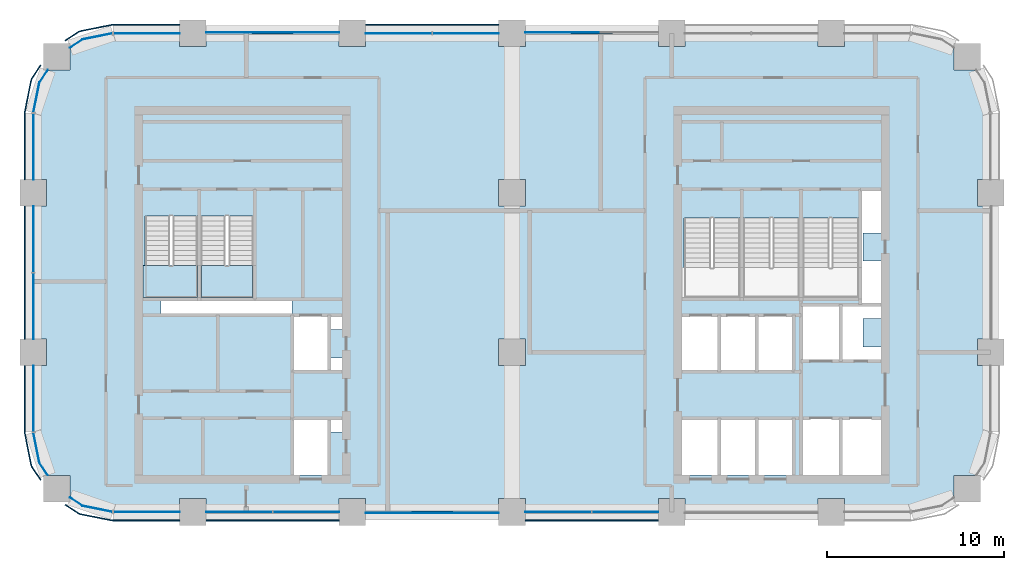
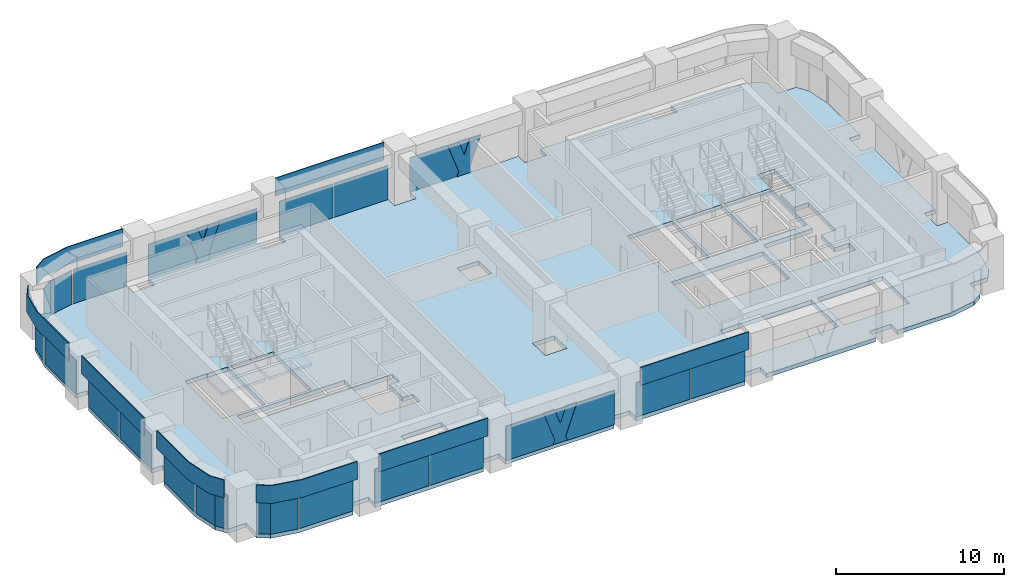
# One storey, part 7 of 14: 35 plates, 3 slabs, 13 elements without a shape of their own.
"""IFC4 building model written with IfcOpenShell, lengths in metres."""

from ifc_helpers import new_model, si_unit, direction, frame, origin, origin_2d, place, context, subcontext, project, spatial, polyline, rectangle, outline, extrude, material, layer, layer_set, type_object, element, aggregate, save


model = new_model("IFC4")

# Units and contexts
model_context = context("Model", 3, precision=1e-05, world=origin(), true_north=direction((0.0, 1.0)))
body_context = subcontext(model_context, "Body", "Model", "MODEL_VIEW")
ifc_project = project(units=[si_unit("LENGTHUNIT", "METRE"), si_unit("AREAUNIT", "SQUARE_METRE"), si_unit("VOLUMEUNIT", "CUBIC_METRE"), si_unit("PLANEANGLEUNIT", "RADIAN"), si_unit("MASSUNIT", "GRAM", prefix="KILO")], contexts=[model_context])

# Site, building, storey
site_placement = place(None, origin())
site = spatial("IfcSite", under=ifc_project, at=site_placement, CompositionType="ELEMENT")
building_placement = place(site_placement, origin())
building = spatial("IfcBuilding", under=site, at=building_placement, Name="Tessera Arch", CompositionType="ELEMENT")
storey_placement = place(building_placement, frame((0.0, 0.0, 138.800048828125)))
storey = spatial("IfcBuildingStorey", under=building, at=storey_placement, Name="L32", CompositionType="ELEMENT", Elevation=138.800048828125)

# Curtain wall, plates
ifc_material_1 = material(Name="CW1 curtain wall")
curtain_wall_type_1 = type_object("IfcCurtainWallType", Name="CW1 curtain wall", PredefinedType="NOTDEFINED", material=ifc_material_1)
curtain_wall_1_placement = place(storey_placement, origin())
curtain_wall_1 = element("IfcCurtainWall", 1, at=curtain_wall_1_placement, inside=storey, type_object=curtain_wall_type_1, Name="CW1 curtain wall N54.0/3 L32", PredefinedType="NOTDEFINED")
ifc_material_2 = material(Name="Clear low-e glass", Category="glass")
ifc_material_3 = material(Name="Clear low-e glass", Category="glass")
ifc_layer_1 = layer(ifc_material_3, 0.028076171875)
ifc_layer_set_1 = layer_set([ifc_layer_1], Name="CW1 glass panel")
plate_type_1 = type_object("IfcPlateType", Name="CW1 glass panel", PredefinedType="CURTAIN_PANEL", material=ifc_layer_set_1)
plate_1_placement = place(storey_placement, frame((24.389892578125, 54.0, 0.0), z_axis=(0.0, 0.0, 1.0), x_axis=(-1.0, 0.0, 0.0)))
plate_1 = element("IfcPlate", 2, at=plate_1_placement, type_object=plate_type_1, material=ifc_material_2, Name="CW1 glass panel N54.0/3 1.1.1", PredefinedType="CURTAIN_PANEL", context=body_context, shape_type="SweptSolid", body=[
    extrude(rectangle(XDim=3.719970703125, YDim=0.028076171875, at=origin_2d()), origin(), (0.0, 0.0, 1.0), 2.5),
])
plate_2_placement = place(storey_placement, frame((20.610107421875, 54.0, 0.0), z_axis=(0.0, 0.0, 1.0), x_axis=(-1.0, 0.0, 0.0)))
plate_2 = element("IfcPlate", 3, at=plate_2_placement, type_object=plate_type_1, material=ifc_material_2, Name="CW1 glass panel N54.0/3 1.2.1", PredefinedType="CURTAIN_PANEL", context=body_context, shape_type="SweptSolid", body=[
    extrude(rectangle(XDim=3.719970703125, YDim=0.028076171875, at=origin_2d()), origin(), (0.0, 0.0, 1.0), 2.5),
])

curtain_wall_2_placement = place(storey_placement, origin())
curtain_wall_2 = element("IfcCurtainWall", 4, at=curtain_wall_2_placement, inside=storey, type_object=curtain_wall_type_1, Name="CW1 curtain wall W0.27/1 L32", PredefinedType="NOTDEFINED")
plate_3_placement = place(storey_placement, frame((0.0, 42.389892578125, 0.0), z_axis=(0.0, 0.0, 1.0), x_axis=(0.0, -1.0, 0.0)))
plate_3 = element("IfcPlate", 5, at=plate_3_placement, type_object=plate_type_1, material=ifc_material_2, Name="CW1 glass panel W0.27/1 1.1.1", PredefinedType="CURTAIN_PANEL", context=body_context, shape_type="SweptSolid", body=[
    extrude(rectangle(XDim=3.719970703125, YDim=0.028076171875, at=origin_2d()), origin(), (0.0, 0.0, 1.0), 2.5),
])
plate_4_placement = place(storey_placement, frame((0.0, 38.610107421875, 0.0), z_axis=(0.0, 0.0, 1.0), x_axis=(0.0, -1.0, 0.0)))
plate_4 = element("IfcPlate", 6, at=plate_4_placement, type_object=plate_type_1, material=ifc_material_2, Name="CW1 glass panel W0.27/1 1.2.1", PredefinedType="CURTAIN_PANEL", context=body_context, shape_type="SweptSolid", body=[
    extrude(rectangle(XDim=3.719970703125, YDim=0.028076171875, at=origin_2d()), origin(), (0.0, 0.0, 1.0), 2.5),
])

curtain_wall_3_placement = place(storey_placement, origin())
curtain_wall_3 = element("IfcCurtainWall", 7, at=curtain_wall_3_placement, inside=storey, type_object=curtain_wall_type_1, Name="CW1 curtain wall S27.0/1 L32", PredefinedType="NOTDEFINED")
plate_5_placement = place(storey_placement, frame((11.610107421875, 27.0, 0.0), z_axis=(0.0, 0.0, 1.0), x_axis=(1.0, 0.0, 0.0)))
plate_5 = element("IfcPlate", 8, at=plate_5_placement, type_object=plate_type_1, material=ifc_material_2, Name="CW1 glass panel S27.0/1 1.1.1", PredefinedType="CURTAIN_PANEL", context=body_context, shape_type="SweptSolid", body=[
    extrude(rectangle(XDim=3.719970703125, YDim=0.028076171875, at=origin_2d()), origin(), (0.0, 0.0, 1.0), 2.5),
])
plate_6_placement = place(storey_placement, frame((15.389892578125, 27.0, 0.0), z_axis=(0.0, 0.0, 1.0), x_axis=(1.0, 0.0, 0.0)))
plate_6 = element("IfcPlate", 9, at=plate_6_placement, type_object=plate_type_1, material=ifc_material_2, Name="CW1 glass panel S27.0/1 1.2.1", PredefinedType="CURTAIN_PANEL", context=body_context, shape_type="SweptSolid", body=[
    extrude(rectangle(XDim=3.719970703125, YDim=0.028076171875, at=origin_2d()), origin(), (0.0, 0.0, 1.0), 2.5),
])

curtain_wall_4_placement = place(storey_placement, origin())
curtain_wall_4 = element("IfcCurtainWall", 10, at=curtain_wall_4_placement, inside=storey, type_object=curtain_wall_type_1, Name="CW1 curtain wall S27.0/3 L32", PredefinedType="NOTDEFINED")
plate_7_placement = place(storey_placement, frame((29.610107421875, 27.0, 0.0), z_axis=(0.0, 0.0, 1.0), x_axis=(1.0, 0.0, 0.0)))
plate_7 = element("IfcPlate", 11, at=plate_7_placement, type_object=plate_type_1, material=ifc_material_2, Name="CW1 glass panel S27.0/3 1.1.1", PredefinedType="CURTAIN_PANEL", context=body_context, shape_type="SweptSolid", body=[
    extrude(rectangle(XDim=3.719970703125, YDim=0.028076171875, at=origin_2d()), origin(), (0.0, 0.0, 1.0), 2.5),
])
plate_8_placement = place(storey_placement, frame((33.389892578125, 27.0, 0.0), z_axis=(0.0, 0.0, 1.0), x_axis=(1.0, 0.0, 0.0)))
plate_8 = element("IfcPlate", 12, at=plate_8_placement, type_object=plate_type_1, material=ifc_material_2, Name="CW1 glass panel S27.0/3 1.2.1", PredefinedType="CURTAIN_PANEL", context=body_context, shape_type="SweptSolid", body=[
    extrude(rectangle(XDim=3.719970703125, YDim=0.028076171875, at=origin_2d()), origin(), (0.0, 0.0, 1.0), 2.5),
])

# Plate
ifc_material_4 = material(Name="Pale anodised aluminium panel", Category="aluminium")
ifc_layer_2 = layer(ifc_material_4, 0.06005859375)
ifc_layer_set_2 = layer_set([ifc_layer_2], Name="CW1 spandrel panel")
plate_type_2 = type_object("IfcPlateType", Name="CW1 spandrel panel", PredefinedType="CURTAIN_PANEL", material=ifc_layer_set_2)
plate_9_placement = place(storey_placement, frame((22.5, 54.47998046875, 2.60009765625), z_axis=(0.0, 0.0, 1.0), x_axis=(-1.0, 0.0, 0.0)))
plate_9 = element("IfcPlate", 13, at=plate_9_placement, type_object=plate_type_2, Name="CW1 spandrel panel N54.0/3", PredefinedType="CURTAIN_PANEL", context=body_context, shape_type="SweptSolid", body=[
    extrude(rectangle(XDim=7.5, YDim=0.06005859375, at=origin_2d()), origin(), (0.0, 0.0, 1.0), 1.300048828125),
])

aggregate(curtain_wall_1, [plate_1, plate_2, plate_9])

plate_10_placement = place(storey_placement, frame((-0.47998046875, 40.5, 2.60009765625), z_axis=(0.0, 0.0, 1.0), x_axis=(0.0, -1.0, 0.0)))
plate_10 = element("IfcPlate", 14, at=plate_10_placement, type_object=plate_type_2, Name="CW1 spandrel panel W0.27/1", PredefinedType="CURTAIN_PANEL", context=body_context, shape_type="SweptSolid", body=[
    extrude(rectangle(XDim=7.5, YDim=0.06005859375, at=origin_2d()), origin(), (0.0, 0.0, 1.0), 1.300048828125),
])

aggregate(curtain_wall_2, [plate_3, plate_4, plate_10])

plate_11_placement = place(storey_placement, frame((13.5, 26.52001953125, 2.60009765625), z_axis=(0.0, 0.0, 1.0), x_axis=(1.0, 0.0, 0.0)))
plate_11 = element("IfcPlate", 15, at=plate_11_placement, type_object=plate_type_2, Name="CW1 spandrel panel S27.0/1", PredefinedType="CURTAIN_PANEL", context=body_context, shape_type="SweptSolid", body=[
    extrude(rectangle(XDim=7.5, YDim=0.06005859375, at=origin_2d()), origin(), (0.0, 0.0, 1.0), 1.300048828125),
])

aggregate(curtain_wall_3, [plate_5, plate_6, plate_11])

plate_12_placement = place(storey_placement, frame((31.5, 26.52001953125, 2.60009765625), z_axis=(0.0, 0.0, 1.0), x_axis=(1.0, 0.0, 0.0)))
plate_12 = element("IfcPlate", 16, at=plate_12_placement, type_object=plate_type_2, Name="CW1 spandrel panel S27.0/3", PredefinedType="CURTAIN_PANEL", context=body_context, shape_type="SweptSolid", body=[
    extrude(rectangle(XDim=7.5, YDim=0.06005859375, at=origin_2d()), origin(), (0.0, 0.0, 1.0), 1.300048828125),
])

aggregate(curtain_wall_4, [plate_7, plate_8, plate_12])

# Curtain wall, plates
ifc_material_5 = material(Name="CW2 curtain wall")
curtain_wall_type_2 = type_object("IfcCurtainWallType", Name="CW2 curtain wall", PredefinedType="NOTDEFINED", material=ifc_material_5)
curtain_wall_5_placement = place(storey_placement, origin())
curtain_wall_5 = element("IfcCurtainWall", 17, at=curtain_wall_5_placement, inside=storey, type_object=curtain_wall_type_2, Name="CW2 curtain wall N54.0/5 L32", PredefinedType="NOTDEFINED")
ifc_material_6 = material(Name="Clear low-e glass", Category="glass")
ifc_layer_3 = layer(ifc_material_6, 0.028076171875)
ifc_layer_set_3 = layer_set([ifc_layer_3], Name="CW2 glass panel")
plate_type_3 = type_object("IfcPlateType", Name="CW2 glass panel", PredefinedType="CURTAIN_PANEL", material=ifc_layer_set_3)
plate_13_placement = place(storey_placement, frame((6.39501953125, 54.0, 0.0), z_axis=(0.0, 0.0, 1.0), x_axis=(-1.0, 0.0, 0.0)))
plate_13 = element("IfcPlate", 18, at=plate_13_placement, type_object=plate_type_3, material=ifc_material_2, Name="CW2 glass panel N54.0/5 1.1", PredefinedType="CURTAIN_PANEL", context=body_context, shape_type="SweptSolid", body=[
    extrude(rectangle(XDim=3.7099609375, YDim=0.028076171875, at=origin_2d()), origin(), (0.0, 0.0, 1.0), 2.5),
])
plate_14_placement = place(storey_placement, origin())
plate_14 = element("IfcPlate", 19, at=plate_14_placement, type_object=plate_type_3, material=ifc_material_2, Name="CW2 curved glass panel N54.0/5 2.1", PredefinedType="CURTAIN_PANEL", context=body_context, shape_type="SweptSolid", body=[
    extrude(outline(polyline([(2.783447265625, 53.644287109375), (4.46337890625, 53.978515625), (4.4580078125, 54.005859375), (2.7724609375, 53.670654296875), (2.060302734375, 53.19482421875), (2.07568359375, 53.17138671875), (2.783447265625, 53.644287109375)])), origin(), (0.0, 0.0, 1.0), 2.5),
])

curtain_wall_6_placement = place(storey_placement, origin())
curtain_wall_6 = element("IfcCurtainWall", 20, at=curtain_wall_6_placement, inside=storey, type_object=curtain_wall_type_2, Name="CW2 curtain wall W0.27/0 L32", PredefinedType="NOTDEFINED")
plate_15_placement = place(storey_placement, frame((0.0, 47.60498046875, 0.0), z_axis=(0.0, 0.0, 1.0), x_axis=(0.0, -1.0, 0.0)))
plate_15 = element("IfcPlate", 21, at=plate_15_placement, type_object=plate_type_3, material=ifc_material_2, Name="CW2 glass panel W0.27/0 1.1", PredefinedType="CURTAIN_PANEL", context=body_context, shape_type="SweptSolid", body=[
    extrude(rectangle(XDim=3.7099609375, YDim=0.028076171875, at=origin_2d()), origin(), (0.0, 0.0, 1.0), 2.5),
])
plate_16_placement = place(storey_placement, origin())
plate_16 = element("IfcPlate", 22, at=plate_16_placement, type_object=plate_type_3, material=ifc_material_2, Name="CW2 curved glass panel W0.27/0 2.1", PredefinedType="CURTAIN_PANEL", context=body_context, shape_type="SweptSolid", body=[
    extrude(outline(polyline([(0.355712890625, 51.216552734375), (0.82861328125, 51.92431640625), (0.80517578125, 51.939697265625), (0.329345703125, 51.2275390625), (-0.005859375, 49.5419921875), (0.021484375, 49.53662109375), (0.355712890625, 51.216552734375)])), origin(), (0.0, 0.0, 1.0), 2.5),
])

curtain_wall_7_placement = place(storey_placement, origin())
curtain_wall_7 = element("IfcCurtainWall", 23, at=curtain_wall_7_placement, inside=storey, type_object=curtain_wall_type_2, Name="CW2 curtain wall W0.27/2 L32", PredefinedType="NOTDEFINED")
plate_17_placement = place(storey_placement, frame((0.0, 33.39501953125, 0.0), z_axis=(0.0, 0.0, 1.0), x_axis=(0.0, -1.0, 0.0)))
plate_17 = element("IfcPlate", 24, at=plate_17_placement, type_object=plate_type_3, material=ifc_material_2, Name="CW2 glass panel W0.27/2 1.1", PredefinedType="CURTAIN_PANEL", context=body_context, shape_type="SweptSolid", body=[
    extrude(rectangle(XDim=3.7099609375, YDim=0.028076171875, at=origin_2d()), origin(), (0.0, 0.0, 1.0), 2.5),
])
plate_18_placement = place(storey_placement, origin())
plate_18 = element("IfcPlate", 25, at=plate_18_placement, type_object=plate_type_3, material=ifc_material_2, Name="CW2 curved glass panel W0.27/2 2.1", PredefinedType="CURTAIN_PANEL", context=body_context, shape_type="SweptSolid", body=[
    extrude(outline(polyline([(0.355712890625, 29.783447265625), (0.021484375, 31.46337890625), (-0.005859375, 31.4580078125), (0.329345703125, 29.7724609375), (0.80517578125, 29.060302734375), (0.82861328125, 29.07568359375), (0.355712890625, 29.783447265625)])), origin(), (0.0, 0.0, 1.0), 2.5),
])

curtain_wall_8_placement = place(storey_placement, origin())
curtain_wall_8 = element("IfcCurtainWall", 26, at=curtain_wall_8_placement, inside=storey, type_object=curtain_wall_type_2, Name="CW2 curtain wall S27.0/0 L32", PredefinedType="NOTDEFINED")
plate_19_placement = place(storey_placement, frame((6.39501953125, 27.0, 0.0), z_axis=(0.0, 0.0, 1.0), x_axis=(1.0, 0.0, 0.0)))
plate_19 = element("IfcPlate", 27, at=plate_19_placement, type_object=plate_type_3, material=ifc_material_2, Name="CW2 glass panel S27.0/0 1.1", PredefinedType="CURTAIN_PANEL", context=body_context, shape_type="SweptSolid", body=[
    extrude(rectangle(XDim=3.7099609375, YDim=0.028076171875, at=origin_2d()), origin(), (0.0, 0.0, 1.0), 2.5),
])
plate_20_placement = place(storey_placement, origin())
plate_20 = element("IfcPlate", 28, at=plate_20_placement, type_object=plate_type_3, material=ifc_material_2, Name="CW2 curved glass panel S27.0/0 2.1", PredefinedType="CURTAIN_PANEL", context=body_context, shape_type="SweptSolid", body=[
    extrude(outline(polyline([(2.783447265625, 27.355712890625), (2.07568359375, 27.82861328125), (2.060302734375, 27.80517578125), (2.7724609375, 27.329345703125), (4.4580078125, 26.994140625), (4.46337890625, 27.021484375), (2.783447265625, 27.355712890625)])), origin(), (0.0, 0.0, 1.0), 2.5),
])

# Plate
ifc_material_7 = material(Name="Pale anodised aluminium panel", Category="aluminium")
ifc_layer_4 = layer(ifc_material_7, 0.06005859375)
ifc_layer_set_4 = layer_set([ifc_layer_4], Name="CW2 spandrel panel")
plate_type_4 = type_object("IfcPlateType", Name="CW2 spandrel panel", PredefinedType="CURTAIN_PANEL", material=ifc_layer_set_4)
plate_21_placement = place(storey_placement, frame((0.0, 0.0, 2.599853515625)))
plate_21 = element("IfcPlate", 29, at=plate_21_placement, type_object=plate_type_4, Name="CW2 spandrel panel N54.0/5", PredefinedType="CURTAIN_PANEL", context=body_context, shape_type="SweptSolid", body=[
    extrude(outline(polyline([(4.500732421875, 54.449951171875), (8.25, 54.449951171875), (8.25, 54.510009765625), (4.499267578125, 54.510009765625), (4.449951171875, 54.507568359375), (4.401123046875, 54.500244140625), (2.677734375, 54.157470703125), (2.6298828125, 54.1455078125), (2.582763671875, 54.128662109375), (2.537353515625, 54.107421875), (2.4951171875, 54.08203125), (1.78466796875, 53.607177734375), (1.81787109375, 53.55712890625), (2.52734375, 54.03125), (2.565673828125, 54.054443359375), (2.605712890625, 54.0732421875), (2.647216796875, 54.088134765625), (2.69091796875, 54.09912109375), (4.411376953125, 54.441162109375), (4.455810546875, 54.44775390625), (4.500732421875, 54.449951171875)])), origin(), (0.0, 0.0, 1.0), 1.300048828125),
])

aggregate(curtain_wall_5, [plate_13, plate_14, plate_21])

plate_22_placement = place(storey_placement, frame((0.0, 0.0, 2.599853515625)))
plate_22 = element("IfcPlate", 30, at=plate_22_placement, type_object=plate_type_4, Name="CW2 spandrel panel W0.27/0", PredefinedType="CURTAIN_PANEL", context=body_context, shape_type="SweptSolid", body=[
    extrude(outline(polyline([(-0.03125, 51.47265625), (0.44287109375, 52.18212890625), (0.392822265625, 52.21533203125), (-0.08203125, 51.5048828125), (-0.107421875, 51.462646484375), (-0.128662109375, 51.417236328125), (-0.1455078125, 51.3701171875), (-0.157470703125, 51.322265625), (-0.500244140625, 49.598876953125), (-0.507568359375, 49.550048828125), (-0.510009765625, 49.500732421875), (-0.510009765625, 45.75), (-0.449951171875, 45.75), (-0.449951171875, 49.499267578125), (-0.44775390625, 49.544189453125), (-0.441162109375, 49.588623046875), (-0.09912109375, 51.30908203125), (-0.088134765625, 51.352783203125), (-0.0732421875, 51.394287109375), (-0.054443359375, 51.434326171875), (-0.03125, 51.47265625)])), origin(), (0.0, 0.0, 1.0), 1.300048828125),
])

aggregate(curtain_wall_6, [plate_15, plate_16, plate_22])

plate_23_placement = place(storey_placement, frame((0.0, 0.0, 2.599853515625)))
plate_23 = element("IfcPlate", 31, at=plate_23_placement, type_object=plate_type_4, Name="CW2 spandrel panel W0.27/2", PredefinedType="CURTAIN_PANEL", context=body_context, shape_type="SweptSolid", body=[
    extrude(outline(polyline([(-0.449951171875, 31.500732421875), (-0.449951171875, 35.25), (-0.510009765625, 35.25), (-0.510009765625, 31.499267578125), (-0.507568359375, 31.449951171875), (-0.500244140625, 31.401123046875), (-0.157470703125, 29.677734375), (-0.1455078125, 29.6298828125), (-0.128662109375, 29.582763671875), (-0.107421875, 29.537353515625), (-0.08203125, 29.4951171875), (0.392822265625, 28.78466796875), (0.44287109375, 28.81787109375), (-0.03125, 29.52734375), (-0.054443359375, 29.565673828125), (-0.0732421875, 29.605712890625), (-0.088134765625, 29.647216796875), (-0.09912109375, 29.69091796875), (-0.441162109375, 31.411376953125), (-0.44775390625, 31.455810546875), (-0.449951171875, 31.500732421875)])), origin(), (0.0, 0.0, 1.0), 1.300048828125),
])

aggregate(curtain_wall_7, [plate_17, plate_18, plate_23])

plate_24_placement = place(storey_placement, frame((0.0, 0.0, 2.599853515625)))
plate_24 = element("IfcPlate", 32, at=plate_24_placement, type_object=plate_type_4, Name="CW2 spandrel panel S27.0/0", PredefinedType="CURTAIN_PANEL", context=body_context, shape_type="SweptSolid", body=[
    extrude(outline(polyline([(2.52734375, 26.96875), (1.81787109375, 27.44287109375), (1.78466796875, 27.392822265625), (2.4951171875, 26.91796875), (2.537353515625, 26.892578125), (2.582763671875, 26.871337890625), (2.6298828125, 26.8544921875), (2.677734375, 26.842529296875), (4.401123046875, 26.499755859375), (4.449951171875, 26.492431640625), (4.499267578125, 26.489990234375), (8.25, 26.489990234375), (8.25, 26.550048828125), (4.500732421875, 26.550048828125), (4.455810546875, 26.55224609375), (4.411376953125, 26.558837890625), (2.69091796875, 26.90087890625), (2.647216796875, 26.911865234375), (2.605712890625, 26.9267578125), (2.565673828125, 26.945556640625), (2.52734375, 26.96875)])), origin(), (0.0, 0.0, 1.0), 1.300048828125),
])

aggregate(curtain_wall_8, [plate_19, plate_20, plate_24])

# Curtain wall, plate
ifc_material_8 = material(Name="CW3 curtain wall")
curtain_wall_type_3 = type_object("IfcCurtainWallType", Name="CW3 curtain wall", PredefinedType="NOTDEFINED", material=ifc_material_8)
curtain_wall_9_placement = place(storey_placement, origin())
curtain_wall_9 = element("IfcCurtainWall", 33, at=curtain_wall_9_placement, inside=storey, type_object=curtain_wall_type_3, Name="CW3 curtain wall N54.0/2 L32", PredefinedType="NOTDEFINED")
ifc_material_9 = material(Name="Pale anodised aluminium panel", Category="aluminium")
ifc_layer_5 = layer(ifc_material_9, 0.06005859375)
ifc_layer_set_5 = layer_set([ifc_layer_5], Name="CW3 diagonal panel")
plate_type_5 = type_object("IfcPlateType", Name="CW3 diagonal panel", PredefinedType="CURTAIN_PANEL", material=ifc_layer_set_5)
plate_25_placement = place(storey_placement, frame((30.35302734375, 54.030029296875, 2.5), z_axis=(0.0, 1.0, 0.0), x_axis=(1.0, 0.0, 0.0)))
plate_25 = element("IfcPlate", 34, at=plate_25_placement, type_object=plate_type_5, Name="CW3 diagonal panel N54.0/2 1", PredefinedType="CURTAIN_PANEL", context=body_context, shape_type="SweptSolid", body=[
    extrude(outline(polyline([(0.0, 0.0), (0.765625, 0.0), (1.14697265625, 1.0732421875), (1.5283203125, 0.0), (2.2939453125, 0.0), (1.52978515625, 2.150146484375), (1.654052734375, 2.5), (0.639892578125, 2.5), (0.76416015625, 2.150146484375), (0.0, 0.0)])), origin(), (0.0, 0.0, -1.0), 0.06005859375),
])

curtain_wall_10_placement = place(storey_placement, origin())
curtain_wall_10 = element("IfcCurtainWall", 35, at=curtain_wall_10_placement, inside=storey, type_object=curtain_wall_type_3, Name="CW3 curtain wall N54.0/4 L32", PredefinedType="NOTDEFINED")
plate_26_placement = place(storey_placement, frame((12.35302734375, 54.030029296875, 2.5), z_axis=(0.0, 1.0, 0.0), x_axis=(1.0, 0.0, 0.0)))
plate_26 = element("IfcPlate", 36, at=plate_26_placement, type_object=plate_type_5, Name="CW3 diagonal panel N54.0/4 1", PredefinedType="CURTAIN_PANEL", context=body_context, shape_type="SweptSolid", body=[
    extrude(outline(polyline([(0.0, 0.0), (0.765625, 0.0), (1.14697265625, 1.0732421875), (1.5283203125, 0.0), (2.2939453125, 0.0), (1.52978515625, 2.150146484375), (1.654052734375, 2.5), (0.639892578125, 2.5), (0.76416015625, 2.150146484375), (0.0, 0.0)])), origin(), (0.0, 0.0, -1.0), 0.06005859375),
])

curtain_wall_11_placement = place(storey_placement, origin())
curtain_wall_11 = element("IfcCurtainWall", 37, at=curtain_wall_11_placement, inside=storey, type_object=curtain_wall_type_3, Name="CW3 curtain wall S27.0/2 L32", PredefinedType="NOTDEFINED")
plate_27_placement = place(storey_placement, frame((23.64697265625, 26.969970703125, 2.5), z_axis=(0.0, -1.0, 0.0), x_axis=(-1.0, 0.0, 0.0)))
plate_27 = element("IfcPlate", 38, at=plate_27_placement, type_object=plate_type_5, Name="CW3 diagonal panel S27.0/2 1", PredefinedType="CURTAIN_PANEL", context=body_context, shape_type="SweptSolid", body=[
    extrude(outline(polyline([(0.0, 0.0), (0.765625, 0.0), (1.14697265625, 1.0732421875), (1.5283203125, 0.0), (2.2939453125, 0.0), (1.52978515625, 2.150146484375), (1.654052734375, 2.5), (0.639892578125, 2.5), (0.76416015625, 2.150146484375), (0.0, 0.0)])), origin(), (0.0, 0.0, -1.0), 0.06005859375),
])

# Plate
ifc_material_10 = material(Name="Clear low-e glass", Category="glass")
ifc_layer_6 = layer(ifc_material_10, 0.028076171875)
ifc_layer_set_6 = layer_set([ifc_layer_6], Name="CW3 glass panel")
plate_type_6 = type_object("IfcPlateType", Name="CW3 glass panel", PredefinedType="CURTAIN_PANEL", material=ifc_layer_set_6)
plate_28_placement = place(storey_placement, frame((31.11865234375, 54.05810546875, 2.5), z_axis=(0.0, 1.0, 0.0), x_axis=(1.0, 0.0, 0.0)))
plate_28 = element("IfcPlate", 39, at=plate_28_placement, type_object=plate_type_6, material=ifc_material_2, Name="CW3 triangulated glass panel N54.0/2 2", PredefinedType="CURTAIN_PANEL", context=body_context, shape_type="SweptSolid", body=[
    extrude(outline(polyline([(0.0, 0.0), (0.7626953125, 0.0), (0.38134765625, 1.0732421875), (0.0, 0.0)])), origin(), (0.0, 0.0, -1.0), 0.028076171875),
])

plate_29_placement = place(storey_placement, frame((27.75, 54.05810546875, 2.5), z_axis=(0.0, 1.0, 0.0), x_axis=(1.0, 0.0, 0.0)))
plate_29 = element("IfcPlate", 40, at=plate_29_placement, type_object=plate_type_6, material=ifc_material_2, Name="CW3 triangulated glass panel N54.0/2 3", PredefinedType="CURTAIN_PANEL", context=body_context, shape_type="SweptSolid", body=[
    extrude(outline(polyline([(0.0, 0.0), (2.60302734375, 0.0), (3.3671875, 2.150146484375), (3.242919921875, 2.5), (0.0, 2.5), (0.0, 0.0)])), origin(), (0.0, 0.0, -1.0), 0.028076171875),
])

aggregate(curtain_wall_9, [plate_28, plate_29, plate_25])

plate_30_placement = place(storey_placement, frame((17.25, 54.05810546875, 0.0), z_axis=(0.0, 1.0, 0.0), x_axis=(-1.0, 0.0, 0.0)))
plate_30 = element("IfcPlate", 41, at=plate_30_placement, type_object=plate_type_6, material=ifc_material_2, Name="CW3 triangulated glass panel N54.0/4 1", PredefinedType="CURTAIN_PANEL", context=body_context, shape_type="SweptSolid", body=[
    extrude(outline(polyline([(0.0, 0.0), (3.242919921875, 0.0), (3.3671875, 0.349853515625), (2.60302734375, 2.5), (0.0, 2.5), (0.0, 0.0)])), origin(), (0.0, 0.0, -1.0), 0.028076171875),
])

plate_31_placement = place(storey_placement, frame((13.11865234375, 54.05810546875, 2.5), z_axis=(0.0, 1.0, 0.0), x_axis=(1.0, 0.0, 0.0)))
plate_31 = element("IfcPlate", 42, at=plate_31_placement, type_object=plate_type_6, material=ifc_material_2, Name="CW3 triangulated glass panel N54.0/4 2", PredefinedType="CURTAIN_PANEL", context=body_context, shape_type="SweptSolid", body=[
    extrude(outline(polyline([(0.0, 0.0), (0.7626953125, 0.0), (0.38134765625, 1.0732421875), (0.0, 0.0)])), origin(), (0.0, 0.0, -1.0), 0.028076171875),
])

plate_32_placement = place(storey_placement, frame((9.75, 54.05810546875, 2.5), z_axis=(0.0, 1.0, 0.0), x_axis=(1.0, 0.0, 0.0)))
plate_32 = element("IfcPlate", 43, at=plate_32_placement, type_object=plate_type_6, material=ifc_material_2, Name="CW3 triangulated glass panel N54.0/4 3", PredefinedType="CURTAIN_PANEL", context=body_context, shape_type="SweptSolid", body=[
    extrude(outline(polyline([(0.0, 0.0), (2.60302734375, 0.0), (3.3671875, 2.150146484375), (3.242919921875, 2.5), (0.0, 2.5), (0.0, 0.0)])), origin(), (0.0, 0.0, -1.0), 0.028076171875),
])

aggregate(curtain_wall_10, [plate_30, plate_31, plate_32, plate_26])

plate_33_placement = place(storey_placement, frame((18.75, 26.94189453125, 0.0), z_axis=(0.0, -1.0, 0.0), x_axis=(1.0, 0.0, 0.0)))
plate_33 = element("IfcPlate", 44, at=plate_33_placement, type_object=plate_type_6, material=ifc_material_2, Name="CW3 triangulated glass panel S27.0/2 1", PredefinedType="CURTAIN_PANEL", context=body_context, shape_type="SweptSolid", body=[
    extrude(outline(polyline([(0.0, 0.0), (3.242919921875, 0.0), (3.3671875, 0.349853515625), (2.60302734375, 2.5), (0.0, 2.5), (0.0, 0.0)])), origin(), (0.0, 0.0, -1.0), 0.028076171875),
])

plate_34_placement = place(storey_placement, frame((22.88134765625, 26.94189453125, 2.5), z_axis=(0.0, -1.0, 0.0), x_axis=(-1.0, 0.0, 0.0)))
plate_34 = element("IfcPlate", 45, at=plate_34_placement, type_object=plate_type_6, material=ifc_material_2, Name="CW3 triangulated glass panel S27.0/2 2", PredefinedType="CURTAIN_PANEL", context=body_context, shape_type="SweptSolid", body=[
    extrude(outline(polyline([(0.0, 0.0), (0.7626953125, 0.0), (0.38134765625, 1.0732421875), (0.0, 0.0)])), origin(), (0.0, 0.0, -1.0), 0.028076171875),
])

plate_35_placement = place(storey_placement, frame((26.25, 26.94189453125, 2.5), z_axis=(0.0, -1.0, 0.0), x_axis=(-1.0, 0.0, 0.0)))
plate_35 = element("IfcPlate", 46, at=plate_35_placement, type_object=plate_type_6, material=ifc_material_2, Name="CW3 triangulated glass panel S27.0/2 3", PredefinedType="CURTAIN_PANEL", context=body_context, shape_type="SweptSolid", body=[
    extrude(outline(polyline([(0.0, 0.0), (2.60302734375, 0.0), (3.3671875, 2.150146484375), (3.242919921875, 2.5), (0.0, 2.5), (0.0, 0.0)])), origin(), (0.0, 0.0, -1.0), 0.028076171875),
])

aggregate(curtain_wall_11, [plate_33, plate_34, plate_35, plate_27])

# Slab
ifc_material_11 = material(Name="Concrete C40/50", Category="concrete")
ifc_layer_7 = layer(ifc_material_11, 0.300048828125)
ifc_layer_set_7 = layer_set([ifc_layer_7], Name="Floor slab 300 Concrete C40/50")
slab_type_1 = type_object("IfcSlabType", Name="Floor slab 300 Concrete C40/50", PredefinedType="FLOOR", material=ifc_layer_set_7)
slab_1_placement = place(storey_placement, frame((0.0, 0.0, -0.300048828125)))
element("IfcSlab", 47, at=slab_1_placement, inside=storey, type_object=slab_type_1, Name="Floor slab L32 1", PredefinedType="FLOOR", context=body_context, shape_type="SweptSolid", body=[
    extrude(outline(polyline([(54.0, 31.5), (53.657470703125, 29.77783203125), (53.18310546875, 29.068115234375), (51.931884765625, 29.068115234375), (51.931884765625, 27.81689453125), (51.22216796875, 27.342529296875), (49.5, 27.0), (45.75, 27.0), (45.75, 27.75), (44.25, 27.75), (44.25, 27.0), (36.75, 27.0), (36.75, 27.75), (35.25, 27.75), (35.25, 27.0), (27.75, 27.0), (27.75, 27.75), (26.25, 27.75), (26.25, 27.0), (18.75, 27.0), (18.75, 27.75), (17.25, 27.75), (17.25, 27.0), (9.75, 27.0), (9.75, 27.75), (8.25, 27.75), (8.25, 27.0), (4.5, 27.0), (2.77783203125, 27.342529296875), (2.068115234375, 27.81689453125), (2.068115234375, 29.068115234375), (0.81689453125, 29.068115234375), (0.342529296875, 29.77783203125), (0.0, 31.5), (0.0, 35.25), (0.75, 35.25), (0.75, 36.75), (0.0, 36.75), (0.0, 44.25), (0.75, 44.25), (0.75, 45.75), (0.0, 45.75), (0.0, 49.5), (0.342529296875, 51.22216796875), (0.81689453125, 51.931884765625), (2.068115234375, 51.931884765625), (2.068115234375, 53.18310546875), (2.77783203125, 53.657470703125), (4.5, 54.0), (8.25, 54.0), (8.25, 53.25), (9.75, 53.25), (9.75, 54.0), (17.25, 54.0), (17.25, 53.25), (18.75, 53.25), (18.75, 54.0), (26.25, 54.0), (26.25, 53.25), (27.75, 53.25), (27.75, 54.0), (35.25, 54.0), (35.25, 53.25), (36.75, 53.25), (36.75, 54.0), (44.25, 54.0), (44.25, 53.25), (45.75, 53.25), (45.75, 54.0), (49.5, 54.0), (51.22216796875, 53.657470703125), (51.931884765625, 53.18310546875), (51.931884765625, 51.931884765625), (53.18310546875, 51.931884765625), (53.657470703125, 51.22216796875), (54.0, 49.5), (54.0, 45.75), (53.25, 45.75), (53.25, 44.25), (54.0, 44.25), (54.0, 36.75), (53.25, 36.75), (53.25, 35.25), (54.0, 35.25), (54.0, 31.5)]), holes=[polyline([(14.60009765625, 29.10009765625), (16.699951171875, 29.10009765625), (16.699951171875, 31.5), (17.39990234375, 31.5), (17.39990234375, 32.300048828125), (16.699951171875, 32.300048828125), (14.60009765625, 32.300048828125), (14.60009765625, 29.10009765625)]), polyline([(26.25, 36.75), (26.25, 35.25), (27.75, 35.25), (27.75, 36.75), (26.25, 36.75)]), polyline([(17.39990234375, 37.300048828125), (17.39990234375, 38.10009765625), (16.699951171875, 38.10009765625), (14.60498046875, 38.10009765625), (14.60498046875, 38.10498046875), (14.60009765625, 38.10498046875), (14.60009765625, 39.0), (7.199951171875, 39.0), (7.199951171875, 38.10009765625), (14.594970703125, 38.10009765625), (14.594970703125, 38.094970703125), (14.60009765625, 38.094970703125), (14.60009765625, 34.89990234375), (16.699951171875, 34.89990234375), (17.39990234375, 34.89990234375), (17.39990234375, 35.699951171875), (16.699951171875, 35.699951171875), (16.699951171875, 37.300048828125), (17.39990234375, 37.300048828125)]), polyline([(6.300048828125, 43.68994140625), (6.300048828125, 39.199951171875), (9.25, 39.199951171875), (9.25, 43.68994140625), (7.85009765625, 43.68994140625), (7.85009765625, 43.699951171875), (7.699951171875, 43.699951171875), (7.699951171875, 43.68994140625), (6.300048828125, 43.68994140625)]), polyline([(9.449951171875, 39.199951171875), (12.39990234375, 39.199951171875), (12.39990234375, 43.68994140625), (11.0, 43.68994140625), (11.0, 43.699951171875), (10.85009765625, 43.699951171875), (10.85009765625, 43.68994140625), (9.449951171875, 43.68994140625), (9.449951171875, 39.199951171875)]), polyline([(38.699951171875, 29.10009765625), (40.800048828125, 29.10009765625), (42.89990234375, 29.10009765625), (42.89990234375, 32.300048828125), (40.800048828125, 32.300048828125), (38.699951171875, 32.300048828125), (36.60009765625, 32.300048828125), (36.60009765625, 29.10009765625), (38.699951171875, 29.10009765625)]), polyline([(45.550048828125, 32.300048828125), (43.300048828125, 32.300048828125), (43.300048828125, 29.10009765625), (45.550048828125, 29.10009765625), (47.800048828125, 29.10009765625), (47.800048828125, 32.300048828125), (45.550048828125, 32.300048828125)]), polyline([(40.800048828125, 34.89990234375), (42.89990234375, 34.89990234375), (42.89990234375, 38.10009765625), (40.800048828125, 38.10009765625), (38.699951171875, 38.10009765625), (36.60009765625, 38.10009765625), (36.60009765625, 34.89990234375), (38.699951171875, 34.89990234375), (40.800048828125, 34.89990234375)]), polyline([(47.800048828125, 42.75), (47.800048828125, 45.199951171875), (46.64990234375, 45.199951171875), (46.64990234375, 38.699951171875), (45.550048828125, 38.699951171875), (43.300048828125, 38.699951171875), (43.300048828125, 35.5), (45.550048828125, 35.5), (47.800048828125, 35.5), (47.800048828125, 36.300048828125), (46.800048828125, 36.300048828125), (46.800048828125, 37.89990234375), (47.800048828125, 37.89990234375), (47.800048828125, 38.699951171875), (47.800048828125, 41.14990234375), (46.800048828125, 41.14990234375), (46.800048828125, 42.75), (47.800048828125, 42.75)]), polyline([(36.699951171875, 39.199951171875), (39.85009765625, 39.199951171875), (39.85009765625, 43.570068359375), (38.330078125, 43.570068359375), (38.330078125, 43.580078125), (38.219970703125, 43.580078125), (38.219970703125, 43.570068359375), (36.699951171875, 43.570068359375), (36.699951171875, 39.199951171875)]), polyline([(40.050048828125, 39.199951171875), (43.199951171875, 39.199951171875), (43.199951171875, 43.570068359375), (41.679931640625, 43.570068359375), (41.679931640625, 43.580078125), (41.570068359375, 43.580078125), (41.570068359375, 43.570068359375), (40.050048828125, 43.570068359375), (40.050048828125, 39.199951171875)]), polyline([(43.39990234375, 43.570068359375), (43.39990234375, 39.199951171875), (46.550048828125, 39.199951171875), (46.550048828125, 43.570068359375), (45.030029296875, 43.570068359375), (45.030029296875, 43.580078125), (44.919921875, 43.580078125), (44.919921875, 43.570068359375), (43.39990234375, 43.570068359375)]), polyline([(26.25, 45.75), (26.25, 44.25), (27.75, 44.25), (27.75, 45.75), (26.25, 45.75)])]), origin(), (0.0, 0.0, 1.0), 0.300048828125),
])

# Stair, slab
ifc_material_12 = material(Name="Concrete C40/50", Category="concrete")
stair_type = type_object("IfcStairType", Name="Dogleg stair 1400", PredefinedType="HALF_TURN_STAIR", material=ifc_material_12)
stair_1_placement = place(storey_placement, origin())
stair_1 = element("IfcStair", 48, at=stair_1_placement, inside=storey, type_object=stair_type, Name="L32 S2a", PredefinedType="HALF_TURN_STAIR")
ifc_material_13 = material(Name="Concrete C40/50", Category="concrete")
ifc_layer_8 = layer(ifc_material_13, 0.300048828125)
ifc_layer_set_8 = layer_set([ifc_layer_8], Name="Stair landing 300")
slab_type_2 = type_object("IfcSlabType", Name="Stair landing 300", PredefinedType="LANDING", material=ifc_layer_set_8)
slab_2_placement = place(storey_placement, frame((0.0, 0.0, 1.75)))
slab_2 = element("IfcSlab", 49, at=slab_2_placement, type_object=slab_type_2, Name="S2a landing 1", PredefinedType="LANDING", context=body_context, shape_type="SweptSolid", body=[
    extrude(outline(polyline([(6.199951171875, 40.89990234375), (6.199951171875, 39.10009765625), (9.25, 39.10009765625), (9.25, 40.89990234375), (6.199951171875, 40.89990234375)])), origin(), (0.0, 0.0, 1.0), 0.199951171875),
])
aggregate(stair_1, [slab_2])

stair_2_placement = place(storey_placement, origin())
stair_2 = element("IfcStair", 50, at=stair_2_placement, inside=storey, type_object=stair_type, Name="L32 S2b", PredefinedType="HALF_TURN_STAIR")
slab_3_placement = place(storey_placement, frame((0.0, 0.0, 1.75)))
slab_3 = element("IfcSlab", 51, at=slab_3_placement, type_object=slab_type_2, Name="S2b landing 1", PredefinedType="LANDING", context=body_context, shape_type="SweptSolid", body=[
    extrude(outline(polyline([(9.449951171875, 40.89990234375), (9.449951171875, 39.10009765625), (12.39990234375, 39.10009765625), (12.39990234375, 40.89990234375), (9.449951171875, 40.89990234375)])), origin(), (0.0, 0.0, 1.0), 0.199951171875),
])
aggregate(stair_2, [slab_3])

save(model, "model.ifc")
